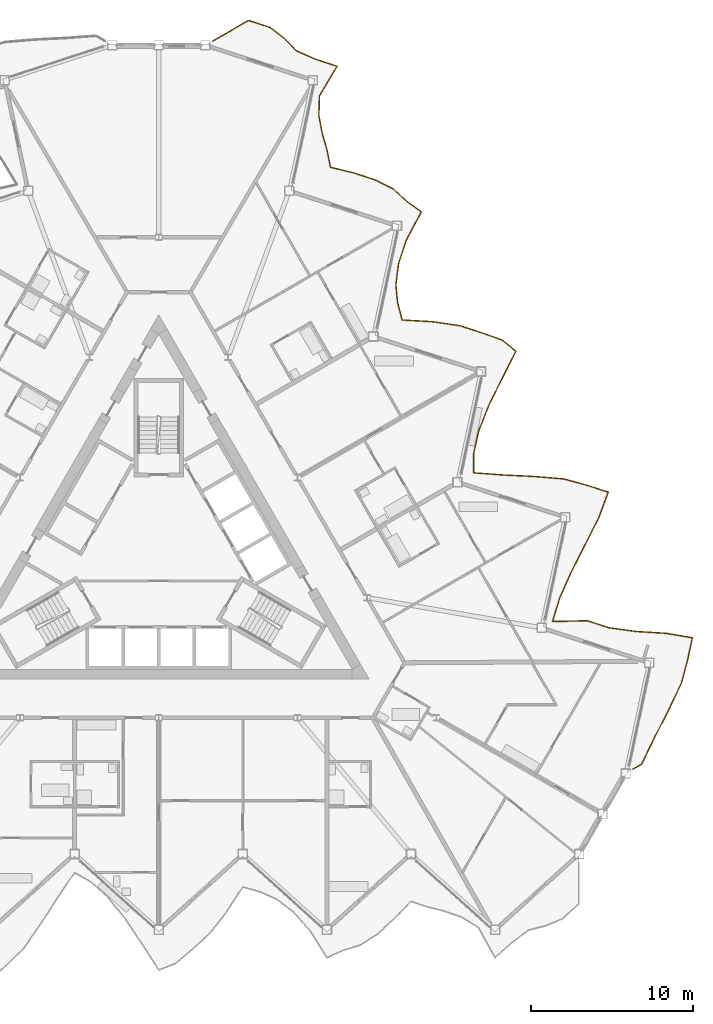
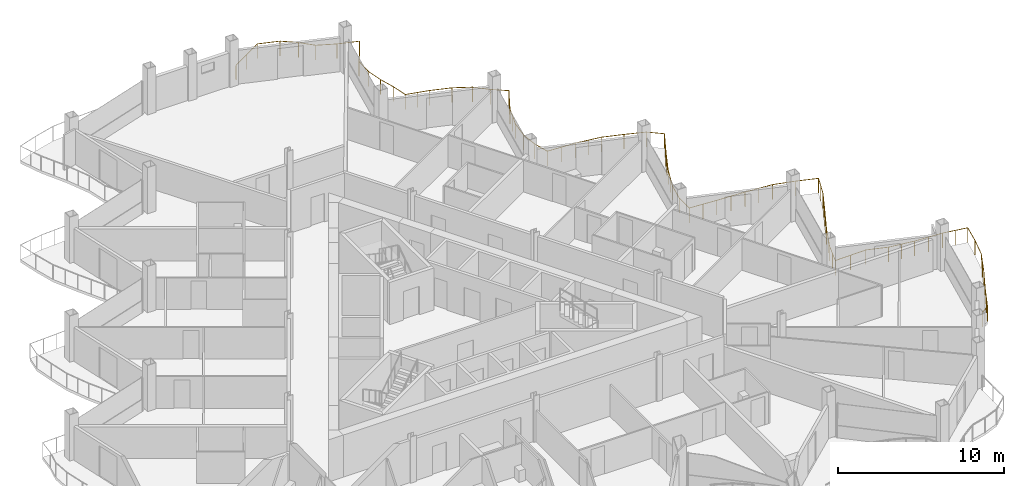
# One storey, part 24 of 26: 1 railing.
"""IFC4 building model written with IfcOpenShell, lengths in metres."""

import ifcopenshell
import ifcopenshell.guid

model = None  # the IFC model being written
_history = None  # IfcOwnerHistory: only IFC2X3 demands one
_inside = {}  # id of a spatial element -> (the spatial element, [elements in it])
_under = {}  # id of a project, library or spatial element -> (it, [spatial elements below it])
_declared = {}  # id of a project -> (the project, [libraries it declares])
_typed = {}  # id of a type object -> (the type object, [elements of that type])
_made_of = {}  # id of a material, layer set ... -> (it, [elements and type objects made of it])


def new_model(schema):
    """Start an empty IFC model of exactly this schema.

    Asked for "IFC4X3", IfcOpenShell would pick the latest addendum, in which some entities
    have other attributes; the version numbers below select the first issue.
    IFC2X3 requires an IfcOwnerHistory on every rooted entity: one is made here for all.
    """
    global model, _history
    if schema == "IFC4X3":
        model = ifcopenshell.file(schema_version=(4, 3, 0, 0))
    else:
        model = ifcopenshell.file(schema=schema)
    _inside.clear()
    _under.clear()
    _declared.clear()
    _typed.clear()
    _made_of.clear()
    _history = None
    if model.schema == "IFC2X3":
        org = make("IfcOrganization", Name="unknown")
        user = make(
            "IfcPersonAndOrganization",
            ThePerson=make("IfcPerson", FamilyName="unknown"),
            TheOrganization=org,
        )
        app = make(
            "IfcApplication",
            ApplicationDeveloper=org,
            Version="unknown",
            ApplicationFullName="unknown",
            ApplicationIdentifier="unknown",
        )
        _history = make(
            "IfcOwnerHistory",
            OwningUser=user,
            OwningApplication=app,
            ChangeAction="ADDED",
            CreationDate=0,
        )
    return model


def make(cls, **values):
    """One entity of the class cls with the attributes given. An attribute that is None is left unset."""
    return model.create_entity(
        cls, **{name: value for name, value in values.items() if value is not None}
    )


def rooted(cls, **values):
    """An entity with a GlobalId (a new one), such as an element, a storey or a relation."""
    return make(cls, GlobalId=ifcopenshell.guid.new(), OwnerHistory=_history, **values)


def si_unit(unit_type, name, prefix=None):
    """IfcSIUnit, for example si_unit("LENGTHUNIT", "METRE", prefix="MILLI")."""
    return make("IfcSIUnit", UnitType=unit_type, Prefix=prefix, Name=name)


def assignment(units):
    """IfcUnitAssignment: the units of a project."""
    return None if units is None else make("IfcUnitAssignment", Units=units)


def point(xyz):
    """IfcCartesianPoint."""
    return None if xyz is None else make("IfcCartesianPoint", Coordinates=xyz)


def direction(xyz):
    """IfcDirection."""
    return None if xyz is None else make("IfcDirection", DirectionRatios=xyz)


def frame(location, z_axis=None, x_axis=None):
    """IfcAxis2Placement3D, a coordinate frame: its origin and axes. An axis left out is left unset."""
    return make(
        "IfcAxis2Placement3D",
        Location=point(location),
        Axis=direction(z_axis),
        RefDirection=direction(x_axis),
    )


def frame_2d(location, x_axis=None):
    """IfcAxis2Placement2D, a coordinate frame in the plane: its origin and x axis."""
    return make(
        "IfcAxis2Placement2D", Location=point(location), RefDirection=direction(x_axis)
    )


def origin():
    """The frame at (0, 0, 0) with its axes left unset."""
    return frame((0.0, 0.0, 0.0))


def origin_2d():
    """The frame at (0, 0) in the plane with its x axis left unset."""
    return frame_2d((0.0, 0.0))


def place(relative_to, where):
    """IfcLocalPlacement: puts the frame where relative to a parent placement (None: the world)."""
    return make(
        "IfcLocalPlacement", PlacementRelTo=relative_to, RelativePlacement=where
    )


def context(
    kind, dimensions, precision=None, world=None, true_north=None, identifier=None
):
    """IfcGeometricRepresentationContext, for example the 3D "Model" context."""
    return make(
        "IfcGeometricRepresentationContext",
        ContextIdentifier=identifier,
        ContextType=kind,
        CoordinateSpaceDimension=dimensions,
        Precision=precision,
        WorldCoordinateSystem=world,
        TrueNorth=true_north,
    )


def subcontext(parent, identifier, kind, view, scale=None):
    """IfcGeometricRepresentationSubContext, for example "Body" below "Model"."""
    return make(
        "IfcGeometricRepresentationSubContext",
        ContextIdentifier=identifier,
        ContextType=kind,
        ParentContext=parent,
        TargetScale=scale,
        TargetView=view,
    )


def project(units=None, contexts=None):
    """IfcProject with its units and contexts."""
    return rooted(
        "IfcProject",
        Name="project",
        RepresentationContexts=contexts,
        UnitsInContext=assignment(units),
    )


def spatial(cls, under=None, at=None, **own):
    """A site, building, storey or space (cls), placed at a placement, below another one or the project."""
    s = rooted(cls, ObjectPlacement=at, **own)
    if under is not None:
        _under.setdefault(under.id(), (under, []))[1].append(s)
    return s


def profile(cls, at=None, kind="AREA", **sizes):
    """A parametric profile (cls). Its sizes go by their IFC names, for example OverallWidth=200.0."""
    return make(cls, ProfileType=kind, Position=at, **sizes)


def circle(**sizes):
    """IfcCircleProfileDef."""
    return profile("IfcCircleProfileDef", **sizes)


def extrude(swept, where, along, depth):
    """IfcExtrudedAreaSolid: the profile swept, set in the frame where, extruded along a direction by depth."""
    return make(
        "IfcExtrudedAreaSolid",
        SweptArea=swept,
        Position=where,
        ExtrudedDirection=direction(along),
        Depth=depth,
    )


def shape(context_of_items, identifier, shape_type, items):
    """IfcShapeRepresentation: the items that make up one representation, for example the "Body"."""
    return make(
        "IfcShapeRepresentation",
        ContextOfItems=context_of_items,
        RepresentationIdentifier=identifier,
        RepresentationType=shape_type,
        Items=items,
    )


def material(Name=None, Category=None):
    """IfcMaterial."""
    return make("IfcMaterial", Name=Name, Category=Category)


def made_of(thing, what):
    """Note that an element or type object is made of a material, layer set ...; save() writes the relation."""
    if what is not None:
        _made_of.setdefault(what.id(), (what, []))[1].append(thing)
    return thing


def type_object(cls, material=None, **own):
    """A type object (cls), such as IfcWallType, which elements share."""
    return made_of(rooted(cls, **own), material)


def element(
    cls,
    number,
    at=None,
    inside=None,
    cuts=None,
    type_object=None,
    material=None,
    context=None,
    identifier="Body",
    shape_type=None,
    held_by="IfcProductDefinitionShape",
    body=None,
    shapes=None,
    **own,
):
    """One element of the class cls, such as IfcWall. Its Tag is "e" and its number.

    at: its placement. inside: the storey or other place that contains it. cuts: it is an
    opening in that element (IfcRelVoidsElement). A single representation is given by context,
    identifier, shape_type and body (its items); several are given by shapes. held_by: the class
    of the entity that holds the representations. save() writes the other relations.
    """
    e = rooted(cls, Tag="e%d" % number, ObjectPlacement=at, **own)
    if body is not None:
        shapes = [shape(context, identifier, shape_type, body)]
    if shapes is not None:
        e.Representation = make(held_by, Representations=shapes)
    if inside is not None:
        _inside.setdefault(inside.id(), (inside, []))[1].append(e)
    if cuts is not None:
        rooted(
            "IfcRelVoidsElement", RelatingBuildingElement=cuts, RelatedOpeningElement=e
        )
    if type_object is not None:
        _typed.setdefault(type_object.id(), (type_object, []))[1].append(e)
    return made_of(e, material)


def aggregate(whole, parts):
    """IfcRelAggregates: a whole, such as a stair, and the parts it consists of."""
    return rooted("IfcRelAggregates", RelatingObject=whole, RelatedObjects=parts)


def save(model, path):
    """Write the relations noted so far, then the file.

    IfcRelAggregates (storeys below a building ...), IfcRelContainedInSpatialStructure (elements
    in a storey), IfcRelDefinesByType, IfcRelAssociatesMaterial and IfcRelDeclares: one each for
    every whole, place, type object, material and project.
    """
    for whole, parts in _under.values():
        aggregate(whole, parts)
    for where, things in _inside.values():
        rooted(
            "IfcRelContainedInSpatialStructure",
            RelatedElements=things,
            RelatingStructure=where,
        )
    for kind, things in _typed.values():
        rooted("IfcRelDefinesByType", RelatedObjects=things, RelatingType=kind)
    for what, things in _made_of.values():
        rooted("IfcRelAssociatesMaterial", RelatedObjects=things, RelatingMaterial=what)
    for by, libraries in _declared.values():
        rooted("IfcRelDeclares", RelatingContext=by, RelatedDefinitions=libraries)
    model.write(path)


model = new_model("IFC4")

# Units and contexts
model_context = context("Model", 3, precision=1e-05, world=origin(), true_north=direction((0.0, 1.0)))
body_context = subcontext(model_context, "Body", "Model", "MODEL_VIEW")
ifc_project = project(units=[si_unit("LENGTHUNIT", "METRE"), si_unit("AREAUNIT", "SQUARE_METRE"), si_unit("VOLUMEUNIT", "CUBIC_METRE"), si_unit("PLANEANGLEUNIT", "RADIAN"), si_unit("MASSUNIT", "GRAM", prefix="KILO")], contexts=[model_context])

# Site, building, storey
site_placement = place(None, origin())
site = spatial("IfcSite", under=ifc_project, at=site_placement, CompositionType="ELEMENT")
building_placement = place(site_placement, origin())
building = spatial("IfcBuilding", under=site, at=building_placement, Name="Cormorant Prow Tower", CompositionType="ELEMENT")
storey_placement = place(building_placement, frame((0.0, 0.0, 339.199951171875)))
storey = spatial("IfcBuildingStorey", under=building, at=storey_placement, Name="L76", CompositionType="ELEMENT", Elevation=339.199951171875)

# Railing
ifc_material = material(Name="Aluminium 6063-T6", Category="aluminium")
railing_type = type_object("IfcRailingType", Name="Balcony guard 1100", PredefinedType="GUARDRAIL", material=ifc_material)
railing_placement = place(storey_placement, frame((29.314453125, -13.083251953125, 0.0)))
element("IfcRailing", 1, at=railing_placement, inside=storey, type_object=railing_type, Name="Balcony guard ENE", PredefinedType="GUARDRAIL", context=body_context, shape_type="SweptSolid", body=[
    extrude(circle(Radius=0.02392578125, at=origin_2d()), frame((0.0, 0.0, 1.076171875), z_axis=(0.866038622153, 0.499977104415, 0.0), x_axis=(-0.499977104415, 0.866038622153, 0.0)), (0.0, 0.0, 1.0), 0.63623046875),
    extrude(circle(Radius=0.02392578125, at=origin_2d()), frame((0.551025390625, 0.318115234375, 1.076171875), z_axis=(0.434641889861, 0.900603368624, 0.0), x_axis=(-0.900603368624, 0.434641889861, 0.0)), (0.0, 0.0, 1.0), 1.847412109375),
    extrude(circle(Radius=0.02392578125, at=origin_2d()), frame((1.35400390625, 1.98193359375, 1.076171875), z_axis=(0.45725891773, 0.889333616904, 0.0), x_axis=(-0.889333616904, 0.45725891773, 0.0)), (0.0, 0.0, 1.0), 1.91943359375),
    extrude(circle(Radius=0.02392578125, at=origin_2d()), frame((2.231689453125, 3.68896484375, 1.076171875), z_axis=(0.426981999454, 0.904260124158, 0.0), x_axis=(-0.904260124158, 0.426981999454, 0.0)), (0.0, 0.0, 1.0), 1.8251953125),
    extrude(circle(Radius=0.02392578125, at=origin_2d()), frame((3.010986328125, 5.33935546875, 1.076171875), z_axis=(0.25756950432, 0.96625977379, 0.0), x_axis=(-0.96625977379, 0.25756950432, 0.0)), (0.0, 0.0, 1.0), 1.46826171875),
    extrude(circle(Radius=0.02392578125, at=origin_2d()), frame((3.38916015625, 6.758056640625, 1.076171875), z_axis=(0.207883806398, 0.978153527335, 0.0), x_axis=(-0.978153527335, 0.207883806398, 0.0)), (0.0, 0.0, 1.0), 1.398681640625),
    extrude(circle(Radius=0.02392578125, at=origin_2d()), frame((3.679931640625, 8.126220703125, 1.076171875), z_axis=(-0.985447965117, 0.169977375103, 0.0), x_axis=(-0.169977375103, -0.985447965117, 0.0)), (0.0, 0.0, 1.0), 1.62451171875),
    extrude(circle(Radius=0.02392578125, at=origin_2d()), frame((2.0791015625, 8.40234375, 1.076171875), z_axis=(-0.998151623304, 0.060772830239, 0.0), x_axis=(-0.060772830239, -0.998151623304, 0.0)), (0.0, 0.0, 1.0), 1.884033203125),
    extrude(circle(Radius=0.02392578125, at=origin_2d()), frame((0.198486328125, 8.516845703125, 1.076171875), z_axis=(-0.990648679715, 0.136437507227, 0.0), x_axis=(-0.136437507227, -0.990648679715, 0.0)), (0.0, 0.0, 1.0), 1.694580078125),
    extrude(circle(Radius=0.02392578125, at=origin_2d()), frame((-1.480224609375, 8.748046875, 1.076171875), z_axis=(-0.951081516476, 0.308940041138, 0.0), x_axis=(-0.308940041138, -0.951081516476, 0.0)), (0.0, 0.0, 1.0), 1.398681640625),
    extrude(circle(Radius=0.02392578125, at=origin_2d()), frame((-2.810546875, 9.18017578125, 1.076171875), z_axis=(-0.999803175489, -0.019839613982, 0.0), x_axis=(0.019839613982, -0.999803175489, 0.0)), (0.0, 0.0, 1.0), 2.153564453125),
    extrude(circle(Radius=0.02392578125, at=origin_2d()), frame((-4.963623046875, 9.137451171875, 1.076171875), z_axis=(0.293186056396, 0.956055404427, 0.0), x_axis=(-0.956055404427, 0.293186056396, 0.0)), (0.0, 0.0, 1.0), 1.525634765625),
    extrude(circle(Radius=0.02392578125, at=origin_2d()), frame((-4.516357421875, 10.595947265625, 1.076171875), z_axis=(0.406970583196, 0.913441264895, 0.0), x_axis=(-0.913441264895, 0.406970583196, 0.0)), (0.0, 0.0, 1.0), 1.76904296875),
    extrude(circle(Radius=0.02392578125, at=origin_2d()), frame((-3.79638671875, 12.2119140625, 1.076171875), z_axis=(0.453803116739, 0.891101975779, 0.0), x_axis=(-0.891101975779, 0.453803116739, 0.0)), (0.0, 0.0, 1.0), 1.908203125),
    extrude(circle(Radius=0.02392578125, at=origin_2d()), frame((-2.930419921875, 13.912353515625, 1.076171875), z_axis=(0.447006456277, 0.894530730633, 0.0), x_axis=(-0.894530730633, 0.447006456277, 0.0)), (0.0, 0.0, 1.0), 1.885986328125),
    extrude(circle(Radius=0.02392578125, at=origin_2d()), frame((-2.08740234375, 15.599365234375, 1.076171875), z_axis=(0.349155386172, 0.937064841037, 0.0), x_axis=(-0.937064841037, 0.349155386172, 0.0)), (0.0, 0.0, 1.0), 1.632080078125),
    extrude(circle(Radius=0.02392578125, at=origin_2d()), frame((-1.517578125, 17.128662109375, 1.076171875), z_axis=(-0.951081516476, 0.308940041138, 0.0), x_axis=(-0.308940041138, -0.951081516476, 0.0)), (0.0, 0.0, 1.0), 1.398681640625),
    extrude(circle(Radius=0.02392578125, at=origin_2d()), frame((-2.847900390625, 17.560791015625, 1.076171875), z_axis=(-0.9645979997, 0.263724665085, 0.0), x_axis=(-0.263724665085, -0.9645979997, 0.0)), (0.0, 0.0, 1.0), 1.462646484375),
    extrude(circle(Radius=0.02392578125, at=origin_2d()), frame((-4.2587890625, 17.946533203125, 1.076171875), z_axis=(-0.996510558329, 0.083466802613, 0.0), x_axis=(-0.083466802613, -0.996510558329, 0.0)), (0.0, 0.0, 1.0), 1.822265625),
    extrude(circle(Radius=0.02392578125, at=origin_2d()), frame((-6.07470703125, 18.0986328125, 1.076171875), z_axis=(-0.998812200116, 0.048725649299, 0.0), x_axis=(-0.048725649299, -0.998812200116, 0.0)), (0.0, 0.0, 1.0), 1.9189453125),
    extrude(circle(Radius=0.02392578125, at=origin_2d()), frame((-7.991455078125, 18.192138671875, 1.076171875), z_axis=(-0.997334660362, 0.072962834658, 0.0), x_axis=(-0.072962834658, -0.997334660362, 0.0)), (0.0, 0.0, 1.0), 1.850341796875),
    extrude(circle(Radius=0.02392578125, at=origin_2d()), frame((-9.8369140625, 18.3271484375, 1.076171875), z_axis=(-0.000814000544, 0.999999668702, 0.0), x_axis=(-0.999999668702, -0.000814000544, 0.0)), (0.0, 0.0, 1.0), 1.19970703125),
    extrude(circle(Radius=0.02392578125, at=origin_2d()), frame((-9.837890625, 19.52685546875, 1.076171875), z_axis=(0.218047150156, 0.975938235909, 0.0), x_axis=(-0.975938235909, 0.218047150156, 0.0)), (0.0, 0.0, 1.0), 1.411865234375),
    extrude(circle(Radius=0.02392578125, at=origin_2d()), frame((-9.530029296875, 20.90478515625, 1.076171875), z_axis=(0.366394114168, 0.930459753618, 0.0), x_axis=(-0.930459753618, 0.366394114168, 0.0)), (0.0, 0.0, 1.0), 1.669921875),
    extrude(circle(Radius=0.02392578125, at=origin_2d()), frame((-8.918212890625, 22.45849609375, 1.076171875), z_axis=(0.440341382194, 0.897830422256, 0.0), x_axis=(-0.897830422256, 0.440341382194, 0.0)), (0.0, 0.0, 1.0), 1.865234375),
    extrude(circle(Radius=0.02392578125, at=origin_2d()), frame((-8.096923828125, 24.133056640625, 1.076171875), z_axis=(0.456464066587, 0.889741847906, 0.0), x_axis=(-0.889741847906, 0.456464066587, 0.0)), (0.0, 0.0, 1.0), 1.916259765625),
    extrude(circle(Radius=0.02392578125, at=origin_2d()), frame((-7.22216796875, 25.838134765625, 1.076171875), z_axis=(-0.776744150773, 0.629816262287, 0.0), x_axis=(-0.629816262287, -0.776744150773, 0.0)), (0.0, 0.0, 1.0), 1.11328125),
    extrude(circle(Radius=0.02392578125, at=origin_2d()), frame((-8.0869140625, 26.539306640625, 1.076171875), z_axis=(-0.942719681035, 0.333585975407, 0.0), x_axis=(-0.333585975407, -0.942719681035, 0.0)), (0.0, 0.0, 1.0), 1.3671875),
    extrude(circle(Radius=0.02392578125, at=origin_2d()), frame((-9.375732421875, 26.995361328125, 1.076171875), z_axis=(-0.951030220841, 0.309097911747, 0.0), x_axis=(-0.309097911747, -0.951030220841, 0.0)), (0.0, 0.0, 1.0), 1.39892578125),
    extrude(circle(Radius=0.02392578125, at=origin_2d()), frame((-10.7060546875, 27.427734375, 1.076171875), z_axis=(-0.989624068347, 0.143680908086, 0.0), x_axis=(-0.143680908086, -0.989624068347, 0.0)), (0.0, 0.0, 1.0), 1.6787109375),
    extrude(circle(Radius=0.02392578125, at=origin_2d()), frame((-12.367431640625, 27.6689453125, 1.076171875), z_axis=(-0.998401571606, 0.056518154731, 0.0), x_axis=(-0.056518154731, -0.998401571606, 0.0)), (0.0, 0.0, 1.0), 1.896240234375),
    extrude(circle(Radius=0.02392578125, at=origin_2d()), frame((-14.2607421875, 27.776123046875, 1.076171875), z_axis=(-0.256914560782, 0.966434120082, 0.0), x_axis=(-0.966434120082, -0.256914560782, 0.0)), (0.0, 0.0, 1.0), 1.07666015625),
    extrude(circle(Radius=0.02392578125, at=origin_2d()), frame((-14.537353515625, 28.816650390625, 1.076171875), z_axis=(-0.099991293683, 0.994988312086, 0.0), x_axis=(-0.994988312086, -0.099991293683, 0.0)), (0.0, 0.0, 1.0), 1.14013671875),
    extrude(circle(Radius=0.02392578125, at=origin_2d()), frame((-14.6513671875, 29.951171875, 1.076171875), z_axis=(0.127894322979, 0.991787800968, 0.0), x_axis=(-0.991787800968, 0.127894322979, 0.0)), (0.0, 0.0, 1.0), 1.3076171875),
    extrude(circle(Radius=0.02392578125, at=origin_2d()), frame((-14.484130859375, 31.248046875, 1.076171875), z_axis=(0.311476454187, 0.950253870546, 0.0), x_axis=(-0.950253870546, 0.311476454187, 0.0)), (0.0, 0.0, 1.0), 1.558349609375),
    extrude(circle(Radius=0.02392578125, at=origin_2d()), frame((-13.998779296875, 32.728759765625, 1.076171875), z_axis=(0.468437733675, 0.883496513672, 0.0), x_axis=(-0.883496513672, 0.468437733675, 0.0)), (0.0, 0.0, 1.0), 1.95751953125),
    extrude(circle(Radius=0.02392578125, at=origin_2d()), frame((-13.081787109375, 34.458251953125, 1.076171875), z_axis=(-0.808420355439, 0.588605580089, 0.0), x_axis=(-0.588605580089, -0.808420355439, 0.0)), (0.0, 0.0, 1.0), 1.13720703125),
    extrude(circle(Radius=0.02392578125, at=origin_2d()), frame((-14.001220703125, 35.127685546875, 1.076171875), z_axis=(-0.729873487252, 0.683582250067, 0.0), x_axis=(-0.683582250067, -0.729873487252, 0.0)), (0.0, 0.0, 1.0), 1.08642578125),
    extrude(circle(Radius=0.02392578125, at=origin_2d()), frame((-14.794189453125, 35.870361328125, 1.076171875), z_axis=(-0.8928895887, 0.450275673773, 0.0), x_axis=(-0.450275673773, -0.8928895887, 0.0)), (0.0, 0.0, 1.0), 1.24267578125),
    extrude(circle(Radius=0.02392578125, at=origin_2d()), frame((-15.90380859375, 36.429931640625, 1.076171875), z_axis=(-0.951030220841, 0.309097911747, 0.0), x_axis=(-0.309097911747, -0.951030220841, 0.0)), (0.0, 0.0, 1.0), 1.39892578125),
    extrude(circle(Radius=0.02392578125, at=origin_2d()), frame((-17.234130859375, 36.8623046875, 1.076171875), z_axis=(-0.971268964327, 0.237984451035, 0.0), x_axis=(-0.237984451035, -0.971268964327, 0.0)), (0.0, 0.0, 1.0), 1.5029296875),
    extrude(circle(Radius=0.02392578125, at=origin_2d()), frame((-18.69384765625, 37.219970703125, 1.076171875), z_axis=(-0.19675814238, 0.980452055639, 0.0), x_axis=(-0.980452055639, -0.19675814238, 0.0)), (0.0, 0.0, 1.0), 1.096923828125),
    extrude(circle(Radius=0.02392578125, at=origin_2d()), frame((-18.90966796875, 38.29541015625, 1.076171875), z_axis=(-0.276707405662, 0.960954219332, 0.0), x_axis=(-0.960954219332, -0.276707405662, 0.0)), (0.0, 0.0, 1.0), 1.071044921875),
    extrude(circle(Radius=0.02392578125, at=origin_2d()), frame((-19.2060546875, 39.32470703125, 1.076171875), z_axis=(-0.185024316184, 0.982733942845, 0.0), x_axis=(-0.982733942845, -0.185024316184, 0.0)), (0.0, 0.0, 1.0), 1.101806640625),
    extrude(circle(Radius=0.02392578125, at=origin_2d()), frame((-19.409912109375, 40.407470703125, 1.076171875), z_axis=(0.028005820775, 0.999607760075, 0.0), x_axis=(-0.999607760075, 0.028005820775, 0.0)), (0.0, 0.0, 1.0), 1.220458984375),
    extrude(circle(Radius=0.02392578125, at=origin_2d()), frame((-19.375732421875, 41.62744140625, 1.076171875), z_axis=(0.513285093144, 0.858218161749, 0.0), x_axis=(-0.858218161749, 0.513285093144, 0.0)), (0.0, 0.0, 1.0), 2.13623046875),
    extrude(circle(Radius=0.02392578125, at=origin_2d()), frame((-18.279296875, 43.460693359375, 1.076171875), z_axis=(-0.951046891837, 0.309046613843, 0.0), x_axis=(-0.309046613843, -0.951046891837, 0.0)), (0.0, 0.0, 1.0), 1.399169921875),
    extrude(circle(Radius=0.02392578125, at=origin_2d()), frame((-19.60986328125, 43.89306640625, 1.076171875), z_axis=(-0.915189260357, 0.403024338878, 0.0), x_axis=(-0.403024338878, -0.915189260357, 0.0)), (0.0, 0.0, 1.0), 1.28857421875),
    extrude(circle(Radius=0.02392578125, at=origin_2d()), frame((-20.7890625, 44.412353515625, 1.076171875), z_axis=(-0.700596395367, 0.71355776977, 0.0), x_axis=(-0.71355776977, -0.700596395367, 0.0)), (0.0, 0.0, 1.0), 1.07373046875),
    extrude(circle(Radius=0.02392578125, at=origin_2d()), frame((-21.541259765625, 45.178466796875, 1.076171875), z_axis=(-0.79203426135, 0.610476640706, 0.0), x_axis=(-0.610476640706, -0.79203426135, 0.0)), (0.0, 0.0, 1.0), 1.124267578125),
    extrude(circle(Radius=0.02392578125, at=origin_2d()), frame((-22.431640625, 45.86474609375, 1.076171875), z_axis=(-0.951081516476, 0.308940041138, 0.0), x_axis=(-0.308940041138, -0.951081516476, 0.0)), (0.0, 0.0, 1.0), 1.398681640625),
    extrude(circle(Radius=0.02392578125, at=origin_2d()), frame((-23.761962890625, 46.296875, 1.076171875), z_axis=(-0.866030548046, -0.499991089772, 0.0), x_axis=(0.499991089772, -0.866030548046, 0.0)), (0.0, 0.0, 1.0), 2.56982421875),
    extrude(circle(Radius=0.02099609375, at=origin_2d()), origin(), (0.0, 0.0, 1.0), 1.052001953125),
    extrude(circle(Radius=0.02099609375, at=origin_2d()), frame((0.551025390625, 0.318115234375, 0.0)), (0.0, 0.0, 1.0), 1.052001953125),
    extrude(circle(Radius=0.02099609375, at=origin_2d()), frame((0.95263671875, 1.14990234375, 0.0)), (0.0, 0.0, 1.0), 1.052001953125),
    extrude(circle(Radius=0.02099609375, at=origin_2d()), frame((1.35400390625, 1.98193359375, 0.0)), (0.0, 0.0, 1.0), 1.052001953125),
    extrude(circle(Radius=0.02099609375, at=origin_2d()), frame((1.79296875, 2.83544921875, 0.0)), (0.0, 0.0, 1.0), 1.052001953125),
    extrude(circle(Radius=0.02099609375, at=origin_2d()), frame((2.231689453125, 3.68896484375, 0.0)), (0.0, 0.0, 1.0), 1.052001953125),
    extrude(circle(Radius=0.02099609375, at=origin_2d()), frame((2.621337890625, 4.51416015625, 0.0)), (0.0, 0.0, 1.0), 1.052001953125),
    extrude(circle(Radius=0.02099609375, at=origin_2d()), frame((3.010986328125, 5.33935546875, 0.0)), (0.0, 0.0, 1.0), 1.052001953125),
    extrude(circle(Radius=0.02099609375, at=origin_2d()), frame((3.38916015625, 6.758056640625, 0.0)), (0.0, 0.0, 1.0), 1.052001953125),
    extrude(circle(Radius=0.02099609375, at=origin_2d()), frame((3.679931640625, 8.126220703125, 0.0)), (0.0, 0.0, 1.0), 1.052001953125),
    extrude(circle(Radius=0.02099609375, at=origin_2d()), frame((2.87939453125, 8.26416015625, 0.0)), (0.0, 0.0, 1.0), 1.052001953125),
    extrude(circle(Radius=0.02099609375, at=origin_2d()), frame((2.0791015625, 8.40234375, 0.0)), (0.0, 0.0, 1.0), 1.052001953125),
    extrude(circle(Radius=0.02099609375, at=origin_2d()), frame((1.138671875, 8.45947265625, 0.0)), (0.0, 0.0, 1.0), 1.052001953125),
    extrude(circle(Radius=0.02099609375, at=origin_2d()), frame((0.198486328125, 8.516845703125, 0.0)), (0.0, 0.0, 1.0), 1.052001953125),
    extrude(circle(Radius=0.02099609375, at=origin_2d()), frame((-0.640869140625, 8.63232421875, 0.0)), (0.0, 0.0, 1.0), 1.052001953125),
    extrude(circle(Radius=0.02099609375, at=origin_2d()), frame((-1.480224609375, 8.748046875, 0.0)), (0.0, 0.0, 1.0), 1.052001953125),
    extrude(circle(Radius=0.02099609375, at=origin_2d()), frame((-2.810546875, 9.18017578125, 0.0)), (0.0, 0.0, 1.0), 1.052001953125),
    extrude(circle(Radius=0.02099609375, at=origin_2d()), frame((-3.88720703125, 9.15869140625, 0.0)), (0.0, 0.0, 1.0), 1.052001953125),
    extrude(circle(Radius=0.02099609375, at=origin_2d()), frame((-4.963623046875, 9.137451171875, 0.0)), (0.0, 0.0, 1.0), 1.052001953125),
    extrude(circle(Radius=0.02099609375, at=origin_2d()), frame((-4.739990234375, 9.86669921875, 0.0)), (0.0, 0.0, 1.0), 1.052001953125),
    extrude(circle(Radius=0.02099609375, at=origin_2d()), frame((-4.516357421875, 10.595947265625, 0.0)), (0.0, 0.0, 1.0), 1.052001953125),
    extrude(circle(Radius=0.02099609375, at=origin_2d()), frame((-4.15625, 11.40380859375, 0.0)), (0.0, 0.0, 1.0), 1.052001953125),
    extrude(circle(Radius=0.02099609375, at=origin_2d()), frame((-3.79638671875, 12.2119140625, 0.0)), (0.0, 0.0, 1.0), 1.052001953125),
    extrude(circle(Radius=0.02099609375, at=origin_2d()), frame((-3.36328125, 13.06201171875, 0.0)), (0.0, 0.0, 1.0), 1.052001953125),
    extrude(circle(Radius=0.02099609375, at=origin_2d()), frame((-2.930419921875, 13.912353515625, 0.0)), (0.0, 0.0, 1.0), 1.052001953125),
    extrude(circle(Radius=0.02099609375, at=origin_2d()), frame((-2.5087890625, 14.755859375, 0.0)), (0.0, 0.0, 1.0), 1.052001953125),
    extrude(circle(Radius=0.02099609375, at=origin_2d()), frame((-2.08740234375, 15.599365234375, 0.0)), (0.0, 0.0, 1.0), 1.052001953125),
    extrude(circle(Radius=0.02099609375, at=origin_2d()), frame((-1.802490234375, 16.364013671875, 0.0)), (0.0, 0.0, 1.0), 1.052001953125),
    extrude(circle(Radius=0.02099609375, at=origin_2d()), frame((-1.517578125, 17.128662109375, 0.0)), (0.0, 0.0, 1.0), 1.052001953125),
    extrude(circle(Radius=0.02099609375, at=origin_2d()), frame((-2.847900390625, 17.560791015625, 0.0)), (0.0, 0.0, 1.0), 1.052001953125),
    extrude(circle(Radius=0.02099609375, at=origin_2d()), frame((-4.2587890625, 17.946533203125, 0.0)), (0.0, 0.0, 1.0), 1.052001953125),
    extrude(circle(Radius=0.02099609375, at=origin_2d()), frame((-5.166748046875, 18.0224609375, 0.0)), (0.0, 0.0, 1.0), 1.052001953125),
    extrude(circle(Radius=0.02099609375, at=origin_2d()), frame((-6.07470703125, 18.0986328125, 0.0)), (0.0, 0.0, 1.0), 1.052001953125),
    extrude(circle(Radius=0.02099609375, at=origin_2d()), frame((-7.033203125, 18.1455078125, 0.0)), (0.0, 0.0, 1.0), 1.052001953125),
    extrude(circle(Radius=0.02099609375, at=origin_2d()), frame((-7.991455078125, 18.192138671875, 0.0)), (0.0, 0.0, 1.0), 1.052001953125),
    extrude(circle(Radius=0.02099609375, at=origin_2d()), frame((-8.9140625, 18.259765625, 0.0)), (0.0, 0.0, 1.0), 1.052001953125),
    extrude(circle(Radius=0.02099609375, at=origin_2d()), frame((-9.8369140625, 18.3271484375, 0.0)), (0.0, 0.0, 1.0), 1.052001953125),
    extrude(circle(Radius=0.02099609375, at=origin_2d()), frame((-9.837890625, 19.52685546875, 0.0)), (0.0, 0.0, 1.0), 1.052001953125),
    extrude(circle(Radius=0.02099609375, at=origin_2d()), frame((-9.530029296875, 20.90478515625, 0.0)), (0.0, 0.0, 1.0), 1.052001953125),
    extrude(circle(Radius=0.02099609375, at=origin_2d()), frame((-9.22412109375, 21.681640625, 0.0)), (0.0, 0.0, 1.0), 1.052001953125),
    extrude(circle(Radius=0.02099609375, at=origin_2d()), frame((-8.918212890625, 22.45849609375, 0.0)), (0.0, 0.0, 1.0), 1.052001953125),
    extrude(circle(Radius=0.02099609375, at=origin_2d()), frame((-8.507568359375, 23.2958984375, 0.0)), (0.0, 0.0, 1.0), 1.052001953125),
    extrude(circle(Radius=0.02099609375, at=origin_2d()), frame((-8.096923828125, 24.133056640625, 0.0)), (0.0, 0.0, 1.0), 1.052001953125),
    extrude(circle(Radius=0.02099609375, at=origin_2d()), frame((-7.65966796875, 24.985595703125, 0.0)), (0.0, 0.0, 1.0), 1.052001953125),
    extrude(circle(Radius=0.02099609375, at=origin_2d()), frame((-7.22216796875, 25.838134765625, 0.0)), (0.0, 0.0, 1.0), 1.052001953125),
    extrude(circle(Radius=0.02099609375, at=origin_2d()), frame((-8.0869140625, 26.539306640625, 0.0)), (0.0, 0.0, 1.0), 1.052001953125),
    extrude(circle(Radius=0.02099609375, at=origin_2d()), frame((-9.375732421875, 26.995361328125, 0.0)), (0.0, 0.0, 1.0), 1.052001953125),
    extrude(circle(Radius=0.02099609375, at=origin_2d()), frame((-10.7060546875, 27.427734375, 0.0)), (0.0, 0.0, 1.0), 1.052001953125),
    extrude(circle(Radius=0.02099609375, at=origin_2d()), frame((-11.53662109375, 27.54833984375, 0.0)), (0.0, 0.0, 1.0), 1.052001953125),
    extrude(circle(Radius=0.02099609375, at=origin_2d()), frame((-12.367431640625, 27.6689453125, 0.0)), (0.0, 0.0, 1.0), 1.052001953125),
    extrude(circle(Radius=0.02099609375, at=origin_2d()), frame((-13.31396484375, 27.72265625, 0.0)), (0.0, 0.0, 1.0), 1.052001953125),
    extrude(circle(Radius=0.02099609375, at=origin_2d()), frame((-14.2607421875, 27.776123046875, 0.0)), (0.0, 0.0, 1.0), 1.052001953125),
    extrude(circle(Radius=0.02099609375, at=origin_2d()), frame((-14.537353515625, 28.816650390625, 0.0)), (0.0, 0.0, 1.0), 1.052001953125),
    extrude(circle(Radius=0.02099609375, at=origin_2d()), frame((-14.6513671875, 29.951171875, 0.0)), (0.0, 0.0, 1.0), 1.052001953125),
    extrude(circle(Radius=0.02099609375, at=origin_2d()), frame((-14.484130859375, 31.248046875, 0.0)), (0.0, 0.0, 1.0), 1.052001953125),
    extrude(circle(Radius=0.02099609375, at=origin_2d()), frame((-14.241455078125, 31.98828125, 0.0)), (0.0, 0.0, 1.0), 1.052001953125),
    extrude(circle(Radius=0.02099609375, at=origin_2d()), frame((-13.998779296875, 32.728759765625, 0.0)), (0.0, 0.0, 1.0), 1.052001953125),
    extrude(circle(Radius=0.02099609375, at=origin_2d()), frame((-13.540283203125, 33.593505859375, 0.0)), (0.0, 0.0, 1.0), 1.052001953125),
    extrude(circle(Radius=0.02099609375, at=origin_2d()), frame((-13.081787109375, 34.458251953125, 0.0)), (0.0, 0.0, 1.0), 1.052001953125),
    extrude(circle(Radius=0.02099609375, at=origin_2d()), frame((-14.001220703125, 35.127685546875, 0.0)), (0.0, 0.0, 1.0), 1.052001953125),
    extrude(circle(Radius=0.02099609375, at=origin_2d()), frame((-14.794189453125, 35.870361328125, 0.0)), (0.0, 0.0, 1.0), 1.052001953125),
    extrude(circle(Radius=0.02099609375, at=origin_2d()), frame((-15.90380859375, 36.429931640625, 0.0)), (0.0, 0.0, 1.0), 1.052001953125),
    extrude(circle(Radius=0.02099609375, at=origin_2d()), frame((-17.234130859375, 36.8623046875, 0.0)), (0.0, 0.0, 1.0), 1.052001953125),
    extrude(circle(Radius=0.02099609375, at=origin_2d()), frame((-17.9638671875, 37.041015625, 0.0)), (0.0, 0.0, 1.0), 1.052001953125),
    extrude(circle(Radius=0.02099609375, at=origin_2d()), frame((-18.69384765625, 37.219970703125, 0.0)), (0.0, 0.0, 1.0), 1.052001953125),
    extrude(circle(Radius=0.02099609375, at=origin_2d()), frame((-18.90966796875, 38.29541015625, 0.0)), (0.0, 0.0, 1.0), 1.052001953125),
    extrude(circle(Radius=0.02099609375, at=origin_2d()), frame((-19.2060546875, 39.32470703125, 0.0)), (0.0, 0.0, 1.0), 1.052001953125),
    extrude(circle(Radius=0.02099609375, at=origin_2d()), frame((-19.409912109375, 40.407470703125, 0.0)), (0.0, 0.0, 1.0), 1.052001953125),
    extrude(circle(Radius=0.02099609375, at=origin_2d()), frame((-19.375732421875, 41.62744140625, 0.0)), (0.0, 0.0, 1.0), 1.052001953125),
    extrude(circle(Radius=0.02099609375, at=origin_2d()), frame((-18.82763671875, 42.5439453125, 0.0)), (0.0, 0.0, 1.0), 1.052001953125),
    extrude(circle(Radius=0.02099609375, at=origin_2d()), frame((-18.279296875, 43.460693359375, 0.0)), (0.0, 0.0, 1.0), 1.052001953125),
    extrude(circle(Radius=0.02099609375, at=origin_2d()), frame((-19.60986328125, 43.89306640625, 0.0)), (0.0, 0.0, 1.0), 1.052001953125),
    extrude(circle(Radius=0.02099609375, at=origin_2d()), frame((-20.7890625, 44.412353515625, 0.0)), (0.0, 0.0, 1.0), 1.052001953125),
    extrude(circle(Radius=0.02099609375, at=origin_2d()), frame((-21.541259765625, 45.178466796875, 0.0)), (0.0, 0.0, 1.0), 1.052001953125),
    extrude(circle(Radius=0.02099609375, at=origin_2d()), frame((-22.431640625, 45.86474609375, 0.0)), (0.0, 0.0, 1.0), 1.052001953125),
    extrude(circle(Radius=0.02099609375, at=origin_2d()), frame((-23.761962890625, 46.296875, 0.0)), (0.0, 0.0, 1.0), 1.052001953125),
    extrude(circle(Radius=0.02099609375, at=origin_2d()), frame((-24.874755859375, 45.654296875, 0.0)), (0.0, 0.0, 1.0), 1.052001953125),
    extrude(circle(Radius=0.02099609375, at=origin_2d()), frame((-25.987548828125, 45.011962890625, 0.0)), (0.0, 0.0, 1.0), 1.052001953125),
])

save(model, "model.ifc")
